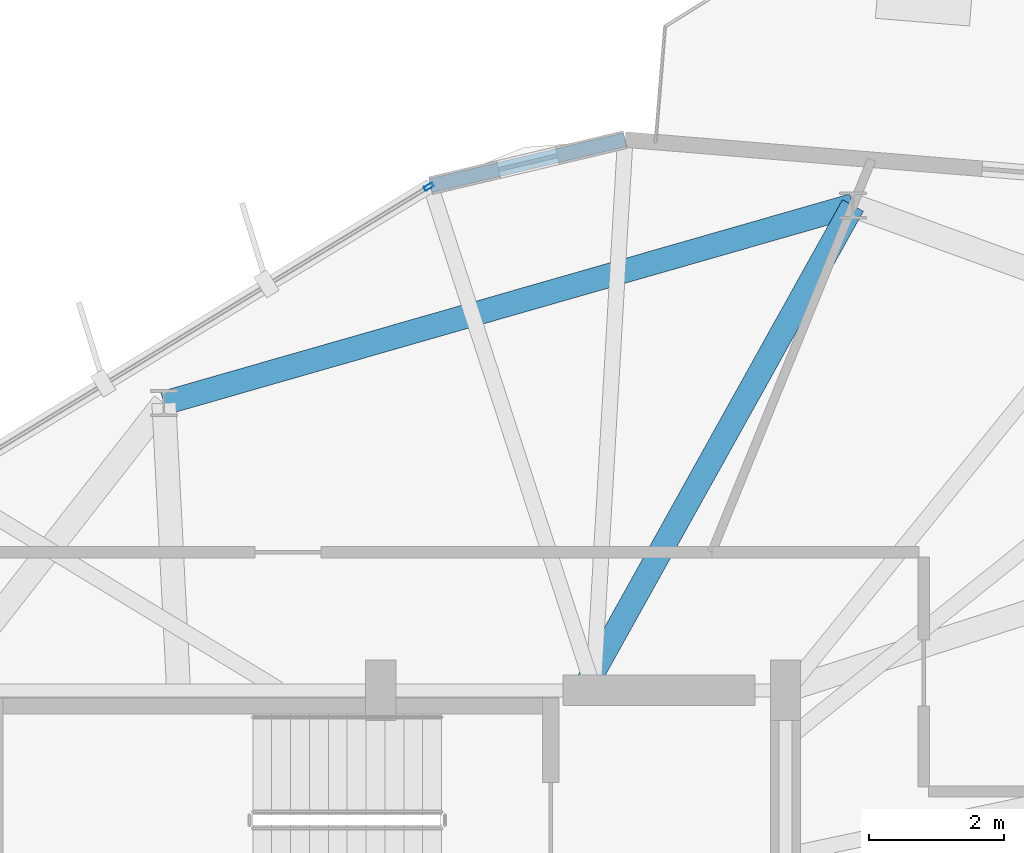
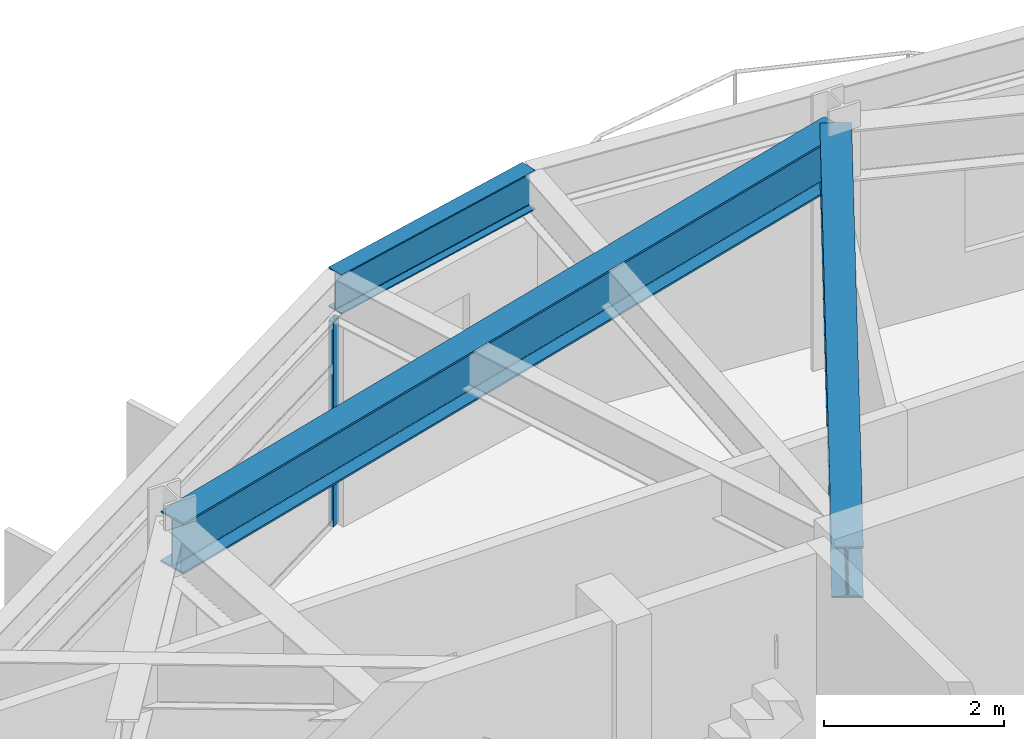
# One storey, part 14 of 23: 3 beams, 1 member, 1 element without a shape of its own.
"""IFC4 building model written with IfcOpenShell, lengths in metres."""

from ifc_helpers import new_model, si_unit, direction, frame, origin, origin_2d, place, context, subcontext, project, spatial, hollow_rectangle, i_section, extrude, material, layer, layer_set, material_profile, profile_set, type_object, element, aggregate, save


model = new_model("IFC4")

# Units and contexts
model_context = context("Model", 3, precision=1e-05, world=origin(), true_north=direction((0.0, 1.0)))
body_context = subcontext(model_context, "Body", "Model", "MODEL_VIEW")
ifc_project = project(units=[si_unit("LENGTHUNIT", "METRE"), si_unit("AREAUNIT", "SQUARE_METRE"), si_unit("VOLUMEUNIT", "CUBIC_METRE"), si_unit("PLANEANGLEUNIT", "RADIAN"), si_unit("MASSUNIT", "GRAM", prefix="KILO")], contexts=[model_context])

# Site, building, storey
site_placement = place(None, origin())
site = spatial("IfcSite", under=ifc_project, at=site_placement, CompositionType="ELEMENT")
building_placement = place(site_placement, origin())
building = spatial("IfcBuilding", under=site, at=building_placement, Name="Soratama Intermodal Tower", CompositionType="ELEMENT")
storey_placement = place(building_placement, frame((0.0, 0.0, 280.0)))
storey = spatial("IfcBuildingStorey", under=building, at=storey_placement, Name="L71", CompositionType="ELEMENT", Elevation=280.0)

# Beams
ifc_material_1 = material(Name="Structural steel ASTM A992 Grade 50", Category="steel")
ifc_material_profile_1 = material_profile(ifc_material_1, i_section(OverallWidth=0.35498046875, OverallDepth=0.695068359375, WebThickness=0.015380859375, FlangeThickness=0.02490234375, FilletRadius=0.01611328125, at=origin_2d()), Name="W27X146")
ifc_profile_set_1 = profile_set([ifc_material_profile_1], Name="Structural steel ASTM A992 Grade 50")
beam_type_1 = type_object("IfcBeamType", Name="BM-RING-W27X146", PredefinedType="BEAM", material=ifc_profile_set_1)
beam_1_placement = place(storey_placement, frame((45.60009765625, 42.18994140625, 3.0625), z_axis=(-0.961238292127, -0.275718961532, 0.0), x_axis=(0.275718961532, -0.961238292127, 0.0)))
element("IfcBeam", 1, at=beam_1_placement, inside=storey, type_object=beam_type_1, Name="BM-L71-RING-03", PredefinedType="BEAM", context=body_context, shape_type="SweptSolid", body=[
    extrude(i_section(OverallWidth=0.35498046875, OverallDepth=0.695068359375, WebThickness=0.015380859375, FlangeThickness=0.02490234375, FilletRadius=0.01611328125, at=origin_2d()), origin(), (0.0, 0.0, 1.0), 10.630126953125),
])
beam_2_placement = place(storey_placement, frame((41.60009765625, 35.0, 3.0625), z_axis=(0.486161842523, 0.873868790423, 0.0), x_axis=(-0.873868790423, 0.486161842523, 0.0)))
element("IfcBeam", 2, at=beam_2_placement, inside=storey, type_object=beam_type_1, Name="BM-L71-RAD-03", PredefinedType="BEAM", context=body_context, shape_type="SweptSolid", body=[
    extrude(i_section(OverallWidth=0.35498046875, OverallDepth=0.695068359375, WebThickness=0.015380859375, FlangeThickness=0.02490234375, FilletRadius=0.01611328125, at=origin_2d()), origin(), (0.0, 0.0, 1.0), 8.227783203125),
])
ifc_material_2 = material(Name="Structural steel ASTM A992 Grade 50", Category="steel")
ifc_material_profile_2 = material_profile(ifc_material_2, i_section(OverallWidth=0.2099609375, OverallDepth=0.537109375, WebThickness=0.010986328125, FlangeThickness=0.017333984375, FilletRadius=0.012939453125, at=origin_2d()), Name="W21X68")
ifc_profile_set_2 = profile_set([ifc_material_profile_2], Name="Structural steel ASTM A992 Grade 50")
beam_type_2 = type_object("IfcBeamType", Name="BM-SPN-W21X68", PredefinedType="SPANDREL", material=ifc_profile_set_2)
beam_3_placement = place(storey_placement, frame((42.222900390625, 43.1669921875, 3.1416015625), z_axis=(-0.973055514534, -0.230570955748, 0.0), x_axis=(0.230570955748, -0.973055514534, 0.0)))
element("IfcBeam", 3, at=beam_3_placement, inside=storey, type_object=beam_type_2, Name="BS-L71-CRN01", PredefinedType="SPANDREL", context=body_context, shape_type="SweptSolid", body=[
    extrude(i_section(OverallWidth=0.2099609375, OverallDepth=0.537109375, WebThickness=0.010986328125, FlangeThickness=0.017333984375, FilletRadius=0.012939453125, at=origin_2d()), origin(), (0.0, 0.0, 1.0), 2.966796875),
])

# Curtain wall, member
ifc_material_3 = material(Name="Double-glazed aluminium curtain wall", Category="aluminium")
ifc_layer = layer(ifc_material_3, 0.159912109375)
ifc_layer_set = layer_set([ifc_layer], Name="Double-glazed aluminium curtain wall")
curtain_wall_type = type_object("IfcCurtainWallType", Name="CW-SYS-5", PredefinedType="NOTDEFINED", material=ifc_layer_set)
curtain_wall_placement = place(storey_placement, origin())
curtain_wall = element("IfcCurtainWall", 4, at=curtain_wall_placement, inside=storey, type_object=curtain_wall_type, Name="L71 Faceted Curtain Wall F02", PredefinedType="NOTDEFINED")
ifc_material_4 = material(Name="Anodised aluminium AA 6063-T6", Category="aluminium")
ifc_material_profile_3 = material_profile(ifc_material_4, hollow_rectangle(XDim=0.06494140625, YDim=0.139892578125, WallThickness=0.0048828125, InnerFilletRadius=0.0048828125, OuterFilletRadius=0.010009765625, at=origin_2d()), Name="CWM140X65X5")
ifc_profile_set_3 = profile_set([ifc_material_profile_3], Name="Anodised aluminium AA 6063-T6")
member_type = type_object("IfcMemberType", Name="MT-CWM-5", PredefinedType="MULLION", material=ifc_profile_set_3)
member_placement = place(storey_placement, frame((39.310791015625, 42.468017578125, 0.0), z_axis=(0.0, 0.0, 1.0), x_axis=(0.519812949336, -0.854280104944, 0.0)))
member = element("IfcMember", 5, at=member_placement, type_object=member_type, Name="CW-5 mullion 1", PredefinedType="MULLION", context=body_context, shape_type="SweptSolid", body=[
    extrude(hollow_rectangle(XDim=0.06494140625, YDim=0.139892578125, WallThickness=0.0048828125, InnerFilletRadius=0.0048828125, OuterFilletRadius=0.010009765625, at=origin_2d()), origin(), (0.0, 0.0, 1.0), 2.7890625),
])
aggregate(curtain_wall, [member])

save(model, "model.ifc")
